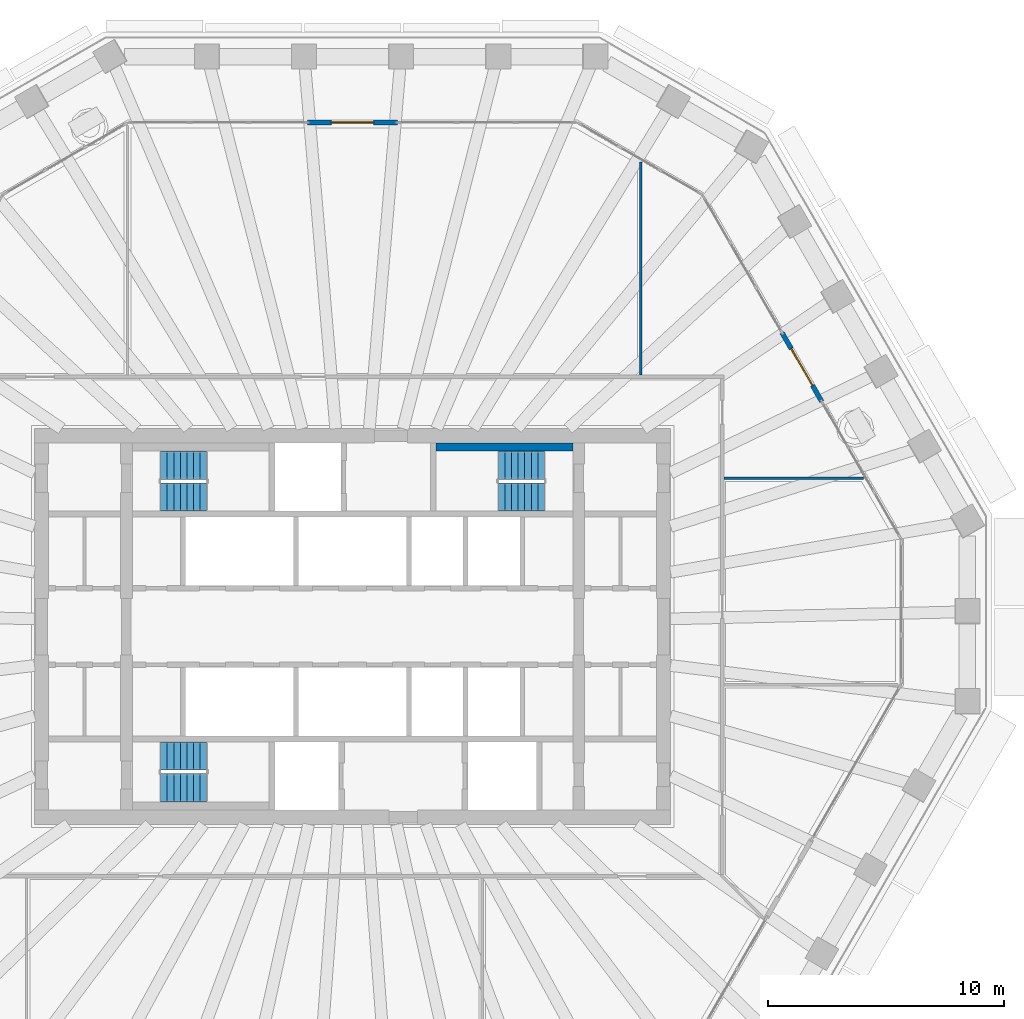
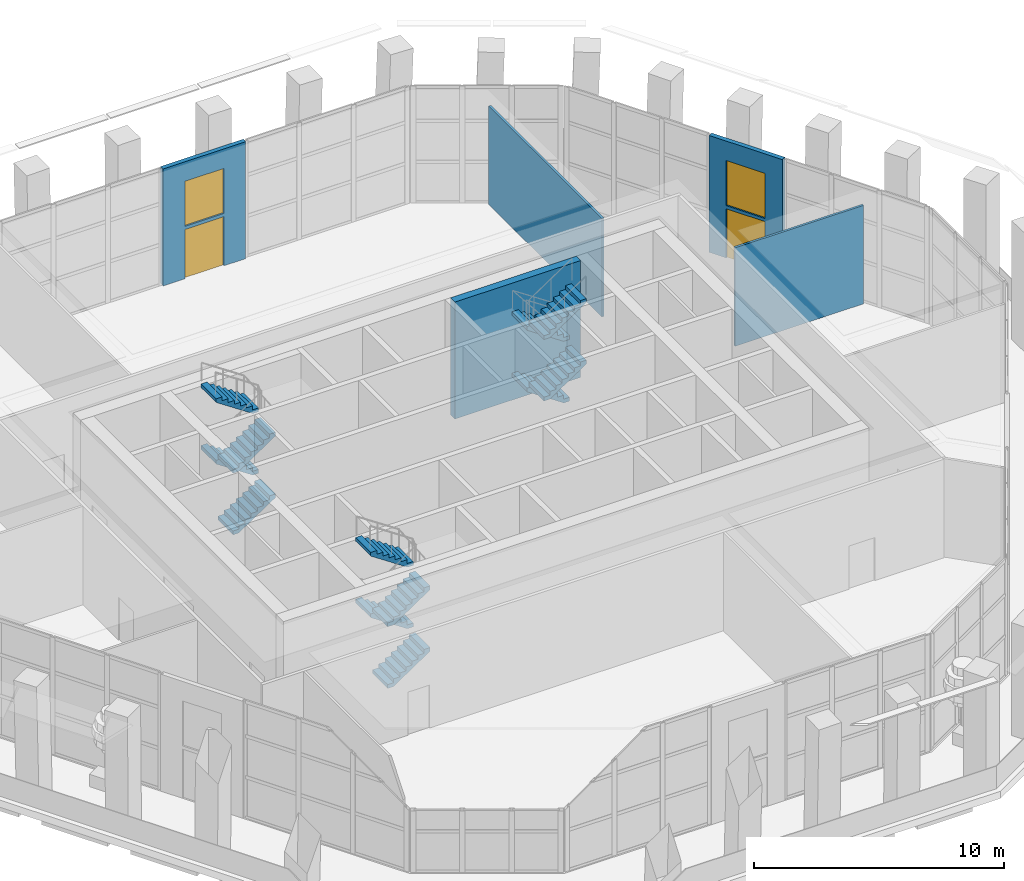
# One storey, part 15 of 19: 12 stair flights, 5 walls, 2 doors, 2 windows, 4 openings, 3 elements without a shape of their own.
"""IFC4 building model written with IfcOpenShell, lengths in metres."""

from ifc_helpers import new_model, si_unit, direction, frame, frame_2d, origin, place, context, subcontext, project, spatial, polyline, rectangle, outline, extrude, material, layer, layer_set, type_object, element, fill, aggregate, save


model = new_model("IFC4")

# Units and contexts
model_context = context("Model", 3, precision=1e-05, world=origin(), true_north=direction((0.0, 1.0)))
body_context = subcontext(model_context, "Body", "Model", "MODEL_VIEW")
ifc_project = project(units=[si_unit("LENGTHUNIT", "METRE"), si_unit("AREAUNIT", "SQUARE_METRE"), si_unit("VOLUMEUNIT", "CUBIC_METRE"), si_unit("PLANEANGLEUNIT", "RADIAN"), si_unit("MASSUNIT", "GRAM", prefix="KILO")], contexts=[model_context])

# Site, building, storey
site_placement = place(None, origin())
site = spatial("IfcSite", under=ifc_project, at=site_placement, CompositionType="ELEMENT")
building_placement = place(site_placement, origin())
building = spatial("IfcBuilding", under=site, at=building_placement, Name="Frailejon Research Tower", CompositionType="ELEMENT")
storey_placement = place(building_placement, frame((0.0, 0.0, 231.39990234375)))
storey = spatial("IfcBuildingStorey", under=building, at=storey_placement, Name="L50", CompositionType="ELEMENT", Elevation=231.39990234375)

# Walls
ifc_material_1 = material(Name="Gypsum board and masonry partition", Category="masonry")
ifc_layer_1 = layer(ifc_material_1, 0.10009765625)
ifc_layer_set_1 = layer_set([ifc_layer_1], Name="Partition, gypsum on steel studs 100")
wall_type_1 = type_object("IfcWallType", Name="Partition, gypsum on steel studs 100", PredefinedType="PARTITIONING", material=ifc_layer_set_1)
wall_1_placement = place(storey_placement, frame((15.77490234375, 6.288818359375, 0.0), z_axis=(0.0, 0.0, 1.0), x_axis=(1.0, 0.0, 0.0)))
element("IfcWall", 1, at=wall_1_placement, inside=storey, type_object=wall_type_1, Name="T:IW:L50:005", PredefinedType="PARTITIONING", context=body_context, shape_type="SweptSolid", body=[
    extrude(rectangle(XDim=5.9150390625, YDim=0.10009765625, at=frame_2d((2.95751953125, 0.0))), origin(), (0.0, 0.0, 1.0), 4.800048828125),
])
wall_2_placement = place(storey_placement, frame((12.242919921875, 10.675048828125, 0.0), z_axis=(0.0, 0.0, 1.0), x_axis=(0.0, 1.0, 0.0)))
element("IfcWall", 2, at=wall_2_placement, inside=storey, type_object=wall_type_1, Name="T:IW:L50:007", PredefinedType="PARTITIONING", context=body_context, shape_type="SweptSolid", body=[
    extrude(rectangle(XDim=9.042236328125, YDim=0.10009765625, at=frame_2d((4.52099609375, 0.0))), origin(), (0.0, 0.0, 1.0), 4.800048828125),
])
ifc_material_2 = material(Name="Concrete C60/75", Category="concrete")
ifc_layer_2 = layer(ifc_material_2, 0.35009765625)
ifc_layer_set_2 = layer_set([ifc_layer_2], Name="Shaft wall 350 C60/75")
wall_type_2 = type_object("IfcWallType", Name="Shaft wall 350 C60/75", PredefinedType="SOLIDWALL", material=ifc_layer_set_2)
wall_3_placement = place(storey_placement, frame((3.550048828125, 7.625, 0.0), z_axis=(0.0, 0.0, 1.0), x_axis=(1.0, 0.0, 0.0)))
element("IfcWall", 3, at=wall_3_placement, inside=storey, type_object=wall_type_2, Name="Shaft wall", PredefinedType="SOLIDWALL", context=body_context, shape_type="SweptSolid", body=[
    extrude(rectangle(XDim=5.800048828125, YDim=0.35009765625, at=frame_2d((2.89990234375, 0.0))), origin(), (0.0, 0.0, 1.0), 5.7001953125),
])

# Wall, openings, door, window
ifc_material_3 = material(Name="Concrete C40/50 precast window wall panel", Category="concrete")
ifc_layer_3 = layer(ifc_material_3, 0.199951171875)
ifc_layer_set_3 = layer_set([ifc_layer_3], Name="Window wall 200")
wall_type_3 = type_object("IfcWallType", Name="Window wall 200", PredefinedType="SOLIDWALL", material=ifc_layer_set_3)
wall_4_placement = place(storey_placement, frame((19.92138671875, 9.552490234375, 0.0), z_axis=(0.0, 0.0, 1.0), x_axis=(-0.500012503503, 0.866018184763, 0.0)))
wall_4 = element("IfcWall", 4, at=wall_4_placement, inside=storey, type_object=wall_type_3, Name="Door pier L50", PredefinedType="SOLIDWALL", context=body_context, shape_type="SweptSolid", body=[
    extrude(rectangle(XDim=3.3759765625, YDim=0.199951171875, at=frame_2d((1.68798828125, 0.0))), origin(), (0.0, 0.0, 1.0), 5.7001953125),
])
opening_1_placement = place(wall_4_placement, frame((0.7880859375, 0.0, 0.0)))
opening_1 = element("IfcOpeningElement", 5, at=opening_1_placement, cuts=wall_4, Name="Opening LG50-1", PredefinedType="OPENING", context=body_context, shape_type="SweptSolid", body=[
    extrude(rectangle(XDim=1.800048828125, YDim=2.39990234375, at=frame_2d((0.89990234375, 1.199951171875))), frame((0.0, 0.10986328125, 0.0), z_axis=(0.0, -1.0, 0.0), x_axis=(1.0, 0.0, 0.0)), (0.0, 0.0, 1.0), 0.219970703125),
])
opening_2_placement = place(wall_4_placement, frame((0.7880859375, 0.0, 2.550048828125)))
opening_2 = element("IfcOpeningElement", 6, at=opening_2_placement, cuts=wall_4, Name="Opening W21", PredefinedType="OPENING", context=body_context, shape_type="SweptSolid", body=[
    extrude(rectangle(XDim=1.800048828125, YDim=2.199951171875, at=frame_2d((0.89990234375, 1.10009765625))), frame((0.0, 0.10986328125, 0.0), z_axis=(0.0, -1.0, 0.0), x_axis=(1.0, 0.0, 0.0)), (0.0, 0.0, 1.0), 0.219970703125),
])
ifc_material_4 = material(Name="Aluminium framed glazed door leaf", Category="aluminium")
door_type = type_object("IfcDoorType", Name="Loggia door 1800x2400", OperationType="DOUBLE_DOOR_SINGLE_SWING", PredefinedType="DOOR", material=ifc_material_4)
door_1_placement = place(opening_1_placement, origin())
door_1 = element("IfcDoor", 7, at=door_1_placement, inside=storey, type_object=door_type, Name="Door LG50-1", OperationType="DOUBLE_DOOR_SINGLE_SWING", OverallHeight=2.39990234375, OverallWidth=1.800048828125, PredefinedType="DOOR", context=body_context, shape_type="SweptSolid", body=[
    extrude(rectangle(XDim=1.800048828125, YDim=2.39990234375, at=frame_2d((0.89990234375, 1.199951171875))), frame((0.0, 0.02490234375, 0.0), z_axis=(0.0, -1.0, 0.0), x_axis=(1.0, 0.0, 0.0)), (0.0, 0.0, 1.0), 0.050048828125),
])
fill(opening_1, door_1)
ifc_material_5 = material(Name="Aluminium framed double glazing", Category="aluminium")
window_type = type_object("IfcWindowType", Name="Window 1800x2200", PartitioningType="SINGLE_PANEL", PredefinedType="WINDOW", material=ifc_material_5)
window_1_placement = place(opening_2_placement, origin())
window_1 = element("IfcWindow", 8, at=window_1_placement, inside=storey, type_object=window_type, Name="Window L50", OverallHeight=2.199951171875, OverallWidth=1.800048828125, PartitioningType="SINGLE_PANEL", PredefinedType="WINDOW", context=body_context, shape_type="SweptSolid", body=[
    extrude(rectangle(XDim=1.800048828125, YDim=2.199951171875, at=frame_2d((0.89990234375, 1.10009765625))), frame((0.0, 0.030029296875, 0.0), z_axis=(0.0, -1.0, 0.0), x_axis=(1.0, 0.0, 0.0)), (0.0, 0.0, 1.0), 0.06005859375),
])
fill(opening_2, window_1)

wall_5_placement = place(storey_placement, frame((1.90576171875, 21.39990234375, 0.0), z_axis=(0.0, 0.0, 1.0), x_axis=(-1.0, 0.0, 0.0)))
wall_5 = element("IfcWall", 9, at=wall_5_placement, inside=storey, type_object=wall_type_3, Name="Door pier L50", PredefinedType="SOLIDWALL", context=body_context, shape_type="SweptSolid", body=[
    extrude(rectangle(XDim=3.8115234375, YDim=0.199951171875, at=frame_2d((1.90576171875, 0.0))), origin(), (0.0, 0.0, 1.0), 5.7001953125),
])
opening_3_placement = place(wall_5_placement, frame((1.005615234375, 0.0, 0.0)))
opening_3 = element("IfcOpeningElement", 10, at=opening_3_placement, cuts=wall_5, Name="Opening LG50-2", PredefinedType="OPENING", context=body_context, shape_type="SweptSolid", body=[
    extrude(rectangle(XDim=1.800048828125, YDim=2.39990234375, at=frame_2d((0.89990234375, 1.199951171875))), frame((0.0, 0.10986328125, 0.0), z_axis=(0.0, -1.0, 0.0), x_axis=(1.0, 0.0, 0.0)), (0.0, 0.0, 1.0), 0.219970703125),
])
opening_4_placement = place(wall_5_placement, frame((1.005615234375, 0.0, 2.550048828125)))
opening_4 = element("IfcOpeningElement", 11, at=opening_4_placement, cuts=wall_5, Name="Opening W21", PredefinedType="OPENING", context=body_context, shape_type="SweptSolid", body=[
    extrude(rectangle(XDim=1.800048828125, YDim=2.199951171875, at=frame_2d((0.89990234375, 1.10009765625))), frame((0.0, 0.10986328125, 0.0), z_axis=(0.0, -1.0, 0.0), x_axis=(1.0, 0.0, 0.0)), (0.0, 0.0, 1.0), 0.219970703125),
])
door_2_placement = place(opening_3_placement, origin())
door_2 = element("IfcDoor", 12, at=door_2_placement, inside=storey, type_object=door_type, Name="Door LG50-2", OperationType="DOUBLE_DOOR_SINGLE_SWING", OverallHeight=2.39990234375, OverallWidth=1.800048828125, PredefinedType="DOOR", context=body_context, shape_type="SweptSolid", body=[
    extrude(rectangle(XDim=1.800048828125, YDim=2.39990234375, at=frame_2d((0.89990234375, 1.199951171875))), frame((0.0, 0.02490234375, 0.0), z_axis=(0.0, -1.0, 0.0), x_axis=(1.0, 0.0, 0.0)), (0.0, 0.0, 1.0), 0.050048828125),
])
fill(opening_3, door_2)
window_2_placement = place(opening_4_placement, origin())
window_2 = element("IfcWindow", 13, at=window_2_placement, inside=storey, type_object=window_type, Name="Window L50", OverallHeight=2.199951171875, OverallWidth=1.800048828125, PartitioningType="SINGLE_PANEL", PredefinedType="WINDOW", context=body_context, shape_type="SweptSolid", body=[
    extrude(rectangle(XDim=1.800048828125, YDim=2.199951171875, at=frame_2d((0.89990234375, 1.10009765625))), frame((0.0, 0.030029296875, 0.0), z_axis=(0.0, -1.0, 0.0), x_axis=(1.0, 0.0, 0.0)), (0.0, 0.0, 1.0), 0.06005859375),
])
fill(opening_4, window_2)

# Stair, stair flights
ifc_material_6 = material(Name="Concrete C50/60", Category="concrete")
stair_type = type_object("IfcStairType", Name="Exit stair 32 risers", PredefinedType="HALF_TURN_STAIR", material=ifc_material_6)
stair_1_placement = place(storey_placement, origin())
stair_1 = element("IfcStair", 14, at=stair_1_placement, inside=storey, type_object=stair_type, Name="L50 Exit stair ST1", PredefinedType="HALF_TURN_STAIR")
ifc_material_7 = material(Name="Concrete C50/60", Category="concrete")
ifc_layer_4 = layer(ifc_material_7, 0.14990234375)
ifc_layer_set_4 = layer_set([ifc_layer_4], Name="Stair flight 8 risers")
stair_flight_type = type_object("IfcStairFlightType", Name="Stair flight 8 risers", PredefinedType="STRAIGHT", material=ifc_layer_set_4)
stair_flight_1_placement = place(storey_placement, frame((-8.14990234375, 5.5, 0.0), z_axis=(0.0, 0.0, 1.0), x_axis=(1.0, 0.0, 0.0)))
stair_flight_1 = element("IfcStairFlight", 15, at=stair_flight_1_placement, type_object=stair_flight_type, Name="ST1 flight 1", NumberOfRisers=8, NumberOfTreads=7, PredefinedType="STRAIGHT", RiserHeight=0.1875, TreadLength=0.28, context=body_context, shape_type="SweptSolid", body=[
    extrude(outline(polyline([(0.0, 0.0), (0.0, 0.1875), (0.280029296875, 0.1875), (0.280029296875, 0.375), (0.56005859375, 0.375), (0.56005859375, 0.5625), (0.840087890625, 0.5625), (0.840087890625, 0.75), (1.1201171875, 0.75), (1.1201171875, 0.9375), (1.39990234375, 0.9375), (1.39990234375, 1.125), (1.679931640625, 1.125), (1.679931640625, 1.3125), (1.9599609375, 1.3125), (1.9599609375, 1.5), (1.9599609375, 1.132080078125), (0.26953125, 0.0), (0.0, 0.0)])), frame((0.0, 0.60009765625, 0.0), z_axis=(0.0, -1.0, 0.0), x_axis=(1.0, 0.0, 0.0)), (0.0, 0.0, 1.0), 1.199951171875),
])
stair_flight_2_placement = place(storey_placement, frame((-6.18994140625, 6.85009765625, 1.5), z_axis=(0.0, 0.0, 1.0), x_axis=(-1.0, 0.0, 0.0)))
stair_flight_2 = element("IfcStairFlight", 16, at=stair_flight_2_placement, type_object=stair_flight_type, Name="ST1 flight 2", NumberOfRisers=8, NumberOfTreads=7, PredefinedType="STRAIGHT", RiserHeight=0.1875, TreadLength=0.28, context=body_context, shape_type="SweptSolid", body=[
    extrude(outline(polyline([(0.0, 0.0), (0.0, 0.1875), (0.280029296875, 0.1875), (0.280029296875, 0.375), (0.56005859375, 0.375), (0.56005859375, 0.5625), (0.840087890625, 0.5625), (0.840087890625, 0.75), (1.1201171875, 0.75), (1.1201171875, 0.9375), (1.39990234375, 0.9375), (1.39990234375, 1.125), (1.679931640625, 1.125), (1.679931640625, 1.3125), (1.9599609375, 1.3125), (1.9599609375, 1.5), (1.9599609375, 1.132080078125), (0.26953125, 0.0), (0.0, 0.0)])), frame((0.0, 0.60009765625, 0.0), z_axis=(0.0, -1.0, 0.0), x_axis=(1.0, 0.0, 0.0)), (0.0, 0.0, 1.0), 1.199951171875),
])
stair_flight_3_placement = place(storey_placement, frame((-8.14990234375, 5.5, 3.0), z_axis=(0.0, 0.0, 1.0), x_axis=(1.0, 0.0, 0.0)))
stair_flight_3 = element("IfcStairFlight", 17, at=stair_flight_3_placement, type_object=stair_flight_type, Name="ST1 flight 3", NumberOfRisers=8, NumberOfTreads=7, PredefinedType="STRAIGHT", RiserHeight=0.1875, TreadLength=0.28, context=body_context, shape_type="SweptSolid", body=[
    extrude(outline(polyline([(0.0, 0.0), (0.0, 0.1875), (0.280029296875, 0.1875), (0.280029296875, 0.375), (0.56005859375, 0.375), (0.56005859375, 0.5625), (0.840087890625, 0.5625), (0.840087890625, 0.75), (1.1201171875, 0.75), (1.1201171875, 0.9375), (1.39990234375, 0.9375), (1.39990234375, 1.125), (1.679931640625, 1.125), (1.679931640625, 1.3125), (1.9599609375, 1.3125), (1.9599609375, 1.5), (1.9599609375, 1.132080078125), (0.26953125, 0.0), (0.0, 0.0)])), frame((0.0, 0.60009765625, 0.0), z_axis=(0.0, -1.0, 0.0), x_axis=(1.0, 0.0, 0.0)), (0.0, 0.0, 1.0), 1.199951171875),
])
stair_flight_4_placement = place(storey_placement, frame((-6.18994140625, 6.85009765625, 4.5), z_axis=(0.0, 0.0, 1.0), x_axis=(-1.0, 0.0, 0.0)))
stair_flight_4 = element("IfcStairFlight", 18, at=stair_flight_4_placement, type_object=stair_flight_type, Name="ST1 flight 4", NumberOfRisers=8, NumberOfTreads=7, PredefinedType="STRAIGHT", RiserHeight=0.1875, TreadLength=0.28, context=body_context, shape_type="SweptSolid", body=[
    extrude(outline(polyline([(0.0, 0.0), (0.0, 0.1875), (0.280029296875, 0.1875), (0.280029296875, 0.375), (0.56005859375, 0.375), (0.56005859375, 0.5625), (0.840087890625, 0.5625), (0.840087890625, 0.75), (1.1201171875, 0.75), (1.1201171875, 0.9375), (1.39990234375, 0.9375), (1.39990234375, 1.125), (1.679931640625, 1.125), (1.679931640625, 1.3125), (1.9599609375, 1.3125), (1.9599609375, 1.5), (1.9599609375, 1.132080078125), (0.26953125, 0.0), (0.0, 0.0)])), frame((0.0, 0.60009765625, 0.0), z_axis=(0.0, -1.0, 0.0), x_axis=(1.0, 0.0, 0.0)), (0.0, 0.0, 1.0), 1.199951171875),
])
aggregate(stair_1, [stair_flight_1, stair_flight_2, stair_flight_3, stair_flight_4])

stair_2_placement = place(storey_placement, origin())
stair_2 = element("IfcStair", 19, at=stair_2_placement, inside=storey, type_object=stair_type, Name="L50 Exit stair ST2", PredefinedType="HALF_TURN_STAIR")
stair_flight_5_placement = place(storey_placement, frame((-8.14990234375, -6.85009765625, 0.0), z_axis=(0.0, 0.0, 1.0), x_axis=(1.0, 0.0, 0.0)))
stair_flight_5 = element("IfcStairFlight", 20, at=stair_flight_5_placement, type_object=stair_flight_type, Name="ST2 flight 1", NumberOfRisers=8, NumberOfTreads=7, PredefinedType="STRAIGHT", RiserHeight=0.1875, TreadLength=0.28, context=body_context, shape_type="SweptSolid", body=[
    extrude(outline(polyline([(0.0, 0.0), (0.0, 0.1875), (0.280029296875, 0.1875), (0.280029296875, 0.375), (0.56005859375, 0.375), (0.56005859375, 0.5625), (0.840087890625, 0.5625), (0.840087890625, 0.75), (1.1201171875, 0.75), (1.1201171875, 0.9375), (1.39990234375, 0.9375), (1.39990234375, 1.125), (1.679931640625, 1.125), (1.679931640625, 1.3125), (1.9599609375, 1.3125), (1.9599609375, 1.5), (1.9599609375, 1.132080078125), (0.26953125, 0.0), (0.0, 0.0)])), frame((0.0, 0.60009765625, 0.0), z_axis=(0.0, -1.0, 0.0), x_axis=(1.0, 0.0, 0.0)), (0.0, 0.0, 1.0), 1.199951171875),
])
stair_flight_6_placement = place(storey_placement, frame((-6.18994140625, -5.5, 1.5), z_axis=(0.0, 0.0, 1.0), x_axis=(-1.0, 0.0, 0.0)))
stair_flight_6 = element("IfcStairFlight", 21, at=stair_flight_6_placement, type_object=stair_flight_type, Name="ST2 flight 2", NumberOfRisers=8, NumberOfTreads=7, PredefinedType="STRAIGHT", RiserHeight=0.1875, TreadLength=0.28, context=body_context, shape_type="SweptSolid", body=[
    extrude(outline(polyline([(0.0, 0.0), (0.0, 0.1875), (0.280029296875, 0.1875), (0.280029296875, 0.375), (0.56005859375, 0.375), (0.56005859375, 0.5625), (0.840087890625, 0.5625), (0.840087890625, 0.75), (1.1201171875, 0.75), (1.1201171875, 0.9375), (1.39990234375, 0.9375), (1.39990234375, 1.125), (1.679931640625, 1.125), (1.679931640625, 1.3125), (1.9599609375, 1.3125), (1.9599609375, 1.5), (1.9599609375, 1.132080078125), (0.26953125, 0.0), (0.0, 0.0)])), frame((0.0, 0.60009765625, 0.0), z_axis=(0.0, -1.0, 0.0), x_axis=(1.0, 0.0, 0.0)), (0.0, 0.0, 1.0), 1.199951171875),
])
stair_flight_7_placement = place(storey_placement, frame((-8.14990234375, -6.85009765625, 3.0), z_axis=(0.0, 0.0, 1.0), x_axis=(1.0, 0.0, 0.0)))
stair_flight_7 = element("IfcStairFlight", 22, at=stair_flight_7_placement, type_object=stair_flight_type, Name="ST2 flight 3", NumberOfRisers=8, NumberOfTreads=7, PredefinedType="STRAIGHT", RiserHeight=0.1875, TreadLength=0.28, context=body_context, shape_type="SweptSolid", body=[
    extrude(outline(polyline([(0.0, 0.0), (0.0, 0.1875), (0.280029296875, 0.1875), (0.280029296875, 0.375), (0.56005859375, 0.375), (0.56005859375, 0.5625), (0.840087890625, 0.5625), (0.840087890625, 0.75), (1.1201171875, 0.75), (1.1201171875, 0.9375), (1.39990234375, 0.9375), (1.39990234375, 1.125), (1.679931640625, 1.125), (1.679931640625, 1.3125), (1.9599609375, 1.3125), (1.9599609375, 1.5), (1.9599609375, 1.132080078125), (0.26953125, 0.0), (0.0, 0.0)])), frame((0.0, 0.60009765625, 0.0), z_axis=(0.0, -1.0, 0.0), x_axis=(1.0, 0.0, 0.0)), (0.0, 0.0, 1.0), 1.199951171875),
])
stair_flight_8_placement = place(storey_placement, frame((-6.18994140625, -5.5, 4.5), z_axis=(0.0, 0.0, 1.0), x_axis=(-1.0, 0.0, 0.0)))
stair_flight_8 = element("IfcStairFlight", 23, at=stair_flight_8_placement, type_object=stair_flight_type, Name="ST2 flight 4", NumberOfRisers=8, NumberOfTreads=7, PredefinedType="STRAIGHT", RiserHeight=0.1875, TreadLength=0.28, context=body_context, shape_type="SweptSolid", body=[
    extrude(outline(polyline([(0.0, 0.0), (0.0, 0.1875), (0.280029296875, 0.1875), (0.280029296875, 0.375), (0.56005859375, 0.375), (0.56005859375, 0.5625), (0.840087890625, 0.5625), (0.840087890625, 0.75), (1.1201171875, 0.75), (1.1201171875, 0.9375), (1.39990234375, 0.9375), (1.39990234375, 1.125), (1.679931640625, 1.125), (1.679931640625, 1.3125), (1.9599609375, 1.3125), (1.9599609375, 1.5), (1.9599609375, 1.132080078125), (0.26953125, 0.0), (0.0, 0.0)])), frame((0.0, 0.60009765625, 0.0), z_axis=(0.0, -1.0, 0.0), x_axis=(1.0, 0.0, 0.0)), (0.0, 0.0, 1.0), 1.199951171875),
])
aggregate(stair_2, [stair_flight_5, stair_flight_6, stair_flight_7, stair_flight_8])

stair_3_placement = place(storey_placement, origin())
stair_3 = element("IfcStair", 24, at=stair_3_placement, inside=storey, type_object=stair_type, Name="L50 Exit stair ST3", PredefinedType="HALF_TURN_STAIR")
stair_flight_9_placement = place(storey_placement, frame((8.14990234375, 6.85009765625, 0.0), z_axis=(0.0, 0.0, 1.0), x_axis=(-1.0, 0.0, 0.0)))
stair_flight_9 = element("IfcStairFlight", 25, at=stair_flight_9_placement, type_object=stair_flight_type, Name="ST3 flight 1", NumberOfRisers=8, NumberOfTreads=7, PredefinedType="STRAIGHT", RiserHeight=0.1875, TreadLength=0.28, context=body_context, shape_type="SweptSolid", body=[
    extrude(outline(polyline([(0.0, 0.0), (0.0, 0.1875), (0.280029296875, 0.1875), (0.280029296875, 0.375), (0.56005859375, 0.375), (0.56005859375, 0.5625), (0.840087890625, 0.5625), (0.840087890625, 0.75), (1.1201171875, 0.75), (1.1201171875, 0.9375), (1.39990234375, 0.9375), (1.39990234375, 1.125), (1.679931640625, 1.125), (1.679931640625, 1.3125), (1.9599609375, 1.3125), (1.9599609375, 1.5), (1.9599609375, 1.132080078125), (0.26953125, 0.0), (0.0, 0.0)])), frame((0.0, 0.60009765625, 0.0), z_axis=(0.0, -1.0, 0.0), x_axis=(1.0, 0.0, 0.0)), (0.0, 0.0, 1.0), 1.199951171875),
])
stair_flight_10_placement = place(storey_placement, frame((6.18994140625, 5.5, 1.5), z_axis=(0.0, 0.0, 1.0), x_axis=(1.0, 0.0, 0.0)))
stair_flight_10 = element("IfcStairFlight", 26, at=stair_flight_10_placement, type_object=stair_flight_type, Name="ST3 flight 2", NumberOfRisers=8, NumberOfTreads=7, PredefinedType="STRAIGHT", RiserHeight=0.1875, TreadLength=0.28, context=body_context, shape_type="SweptSolid", body=[
    extrude(outline(polyline([(0.0, 0.0), (0.0, 0.1875), (0.280029296875, 0.1875), (0.280029296875, 0.375), (0.56005859375, 0.375), (0.56005859375, 0.5625), (0.840087890625, 0.5625), (0.840087890625, 0.75), (1.1201171875, 0.75), (1.1201171875, 0.9375), (1.39990234375, 0.9375), (1.39990234375, 1.125), (1.679931640625, 1.125), (1.679931640625, 1.3125), (1.9599609375, 1.3125), (1.9599609375, 1.5), (1.9599609375, 1.132080078125), (0.26953125, 0.0), (0.0, 0.0)])), frame((0.0, 0.60009765625, 0.0), z_axis=(0.0, -1.0, 0.0), x_axis=(1.0, 0.0, 0.0)), (0.0, 0.0, 1.0), 1.199951171875),
])
stair_flight_11_placement = place(storey_placement, frame((8.14990234375, 6.85009765625, 3.0), z_axis=(0.0, 0.0, 1.0), x_axis=(-1.0, 0.0, 0.0)))
stair_flight_11 = element("IfcStairFlight", 27, at=stair_flight_11_placement, type_object=stair_flight_type, Name="ST3 flight 3", NumberOfRisers=8, NumberOfTreads=7, PredefinedType="STRAIGHT", RiserHeight=0.1875, TreadLength=0.28, context=body_context, shape_type="SweptSolid", body=[
    extrude(outline(polyline([(0.0, 0.0), (0.0, 0.1875), (0.280029296875, 0.1875), (0.280029296875, 0.375), (0.56005859375, 0.375), (0.56005859375, 0.5625), (0.840087890625, 0.5625), (0.840087890625, 0.75), (1.1201171875, 0.75), (1.1201171875, 0.9375), (1.39990234375, 0.9375), (1.39990234375, 1.125), (1.679931640625, 1.125), (1.679931640625, 1.3125), (1.9599609375, 1.3125), (1.9599609375, 1.5), (1.9599609375, 1.132080078125), (0.26953125, 0.0), (0.0, 0.0)])), frame((0.0, 0.60009765625, 0.0), z_axis=(0.0, -1.0, 0.0), x_axis=(1.0, 0.0, 0.0)), (0.0, 0.0, 1.0), 1.199951171875),
])
stair_flight_12_placement = place(storey_placement, frame((6.18994140625, 5.5, 4.5), z_axis=(0.0, 0.0, 1.0), x_axis=(1.0, 0.0, 0.0)))
stair_flight_12 = element("IfcStairFlight", 28, at=stair_flight_12_placement, type_object=stair_flight_type, Name="ST3 flight 4", NumberOfRisers=8, NumberOfTreads=7, PredefinedType="STRAIGHT", RiserHeight=0.1875, TreadLength=0.28, context=body_context, shape_type="SweptSolid", body=[
    extrude(outline(polyline([(0.0, 0.0), (0.0, 0.1875), (0.280029296875, 0.1875), (0.280029296875, 0.375), (0.56005859375, 0.375), (0.56005859375, 0.5625), (0.840087890625, 0.5625), (0.840087890625, 0.75), (1.1201171875, 0.75), (1.1201171875, 0.9375), (1.39990234375, 0.9375), (1.39990234375, 1.125), (1.679931640625, 1.125), (1.679931640625, 1.3125), (1.9599609375, 1.3125), (1.9599609375, 1.5), (1.9599609375, 1.132080078125), (0.26953125, 0.0), (0.0, 0.0)])), frame((0.0, 0.60009765625, 0.0), z_axis=(0.0, -1.0, 0.0), x_axis=(1.0, 0.0, 0.0)), (0.0, 0.0, 1.0), 1.199951171875),
])
aggregate(stair_3, [stair_flight_9, stair_flight_10, stair_flight_11, stair_flight_12])

save(model, "model.ifc")
